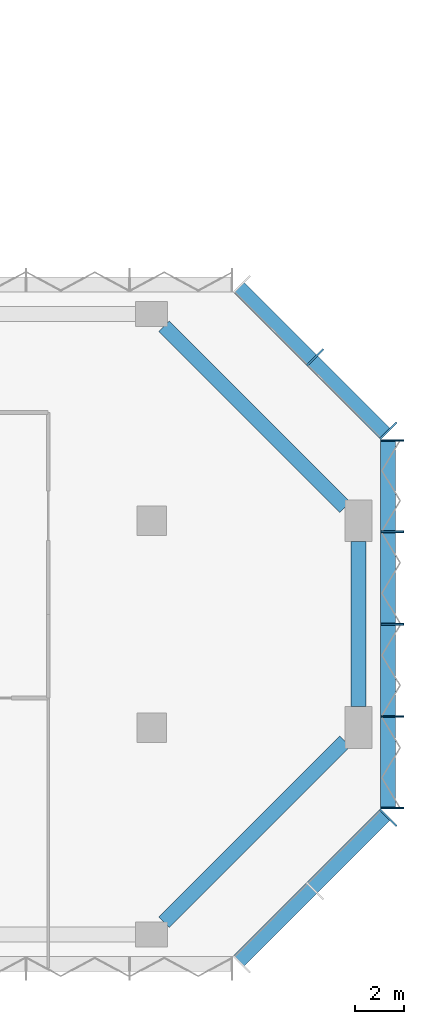
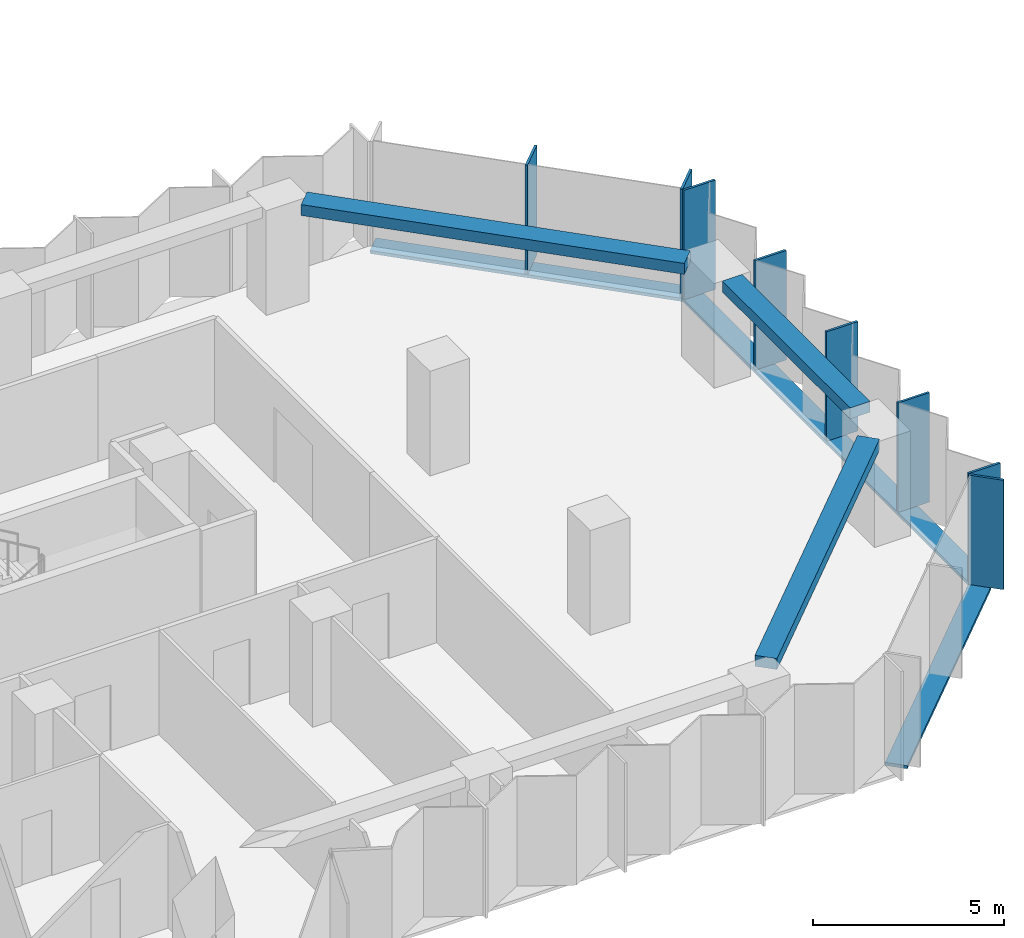
# One storey, part 4 of 13: 11 members, 3 beams, 3 elements without a shape of their own.
"""IFC4 building model written with IfcOpenShell, lengths in metres."""

from ifc_helpers import new_model, si_unit, direction, frame, origin, origin_2d, place, context, subcontext, project, spatial, rectangle, extrude, material, material_profile, profile_set, type_object, element, aggregate, save


model = new_model("IFC4")

# Units and contexts
model_context = context("Model", 3, precision=1e-05, world=origin(), true_north=direction((0.0, 1.0)))
body_context = subcontext(model_context, "Body", "Model", "MODEL_VIEW")
ifc_project = project(units=[si_unit("LENGTHUNIT", "METRE"), si_unit("AREAUNIT", "SQUARE_METRE"), si_unit("VOLUMEUNIT", "CUBIC_METRE"), si_unit("PLANEANGLEUNIT", "RADIAN"), si_unit("MASSUNIT", "GRAM", prefix="KILO")], contexts=[model_context])

# Site, building, storey
site_placement = place(None, origin())
site = spatial("IfcSite", under=ifc_project, at=site_placement, CompositionType="ELEMENT")
building_placement = place(site_placement, origin())
building = spatial("IfcBuilding", under=site, at=building_placement, Name="Brevane Broadcast Tower", CompositionType="ELEMENT")
storey_placement = place(building_placement, frame((0.0, 0.0, 102.5)))
storey = spatial("IfcBuildingStorey", under=building, at=storey_placement, Name="L24", CompositionType="ELEMENT", Elevation=102.5)

# Curtain wall, member
ifc_material_1 = material(Name="Aluminium 6063-T6 bronze anodised", Category="aluminium")
curtain_wall_type = type_object("IfcCurtainWallType", Name="CW-1 curtain wall", PredefinedType="NOTDEFINED", material=ifc_material_1)
curtain_wall_1_placement = place(storey_placement, origin())
curtain_wall_1 = element("IfcCurtainWall", 1, at=curtain_wall_1_placement, inside=storey, type_object=curtain_wall_type, Name="CW-1 typical tilted unit L24 south-east chamfer", PredefinedType="NOTDEFINED")
ifc_material_profile_1 = material_profile(ifc_material_1, rectangle(XDim=0.949951171875, YDim=0.070068359375, at=origin_2d()), Name="RECT 70x950")
ifc_profile_set_1 = profile_set([ifc_material_profile_1], Name="Aluminium 6063-T6 bronze anodised")
member_type_1 = type_object("IfcMemberType", Name="CW-1 mullion 70x950", PredefinedType="MULLION", material=ifc_profile_set_1)
member_1_placement = place(storey_placement, frame((68.4111328125, 4.7392578125, -0.14990234375), z_axis=(0.0, 0.0, 1.0), x_axis=(-0.707106781187, 0.707106781187, 0.0)))
member_1 = element("IfcMember", 2, at=member_1_placement, type_object=member_type_1, Name="CW-1 mullion", PredefinedType="MULLION", context=body_context, shape_type="SweptSolid", body=[
    extrude(rectangle(XDim=0.949951171875, YDim=0.070068359375, at=origin_2d()), origin(), (0.0, 0.0, 1.0), 3.5),
])

# Curtain wall, members
curtain_wall_2_placement = place(storey_placement, origin())
curtain_wall_2 = element("IfcCurtainWall", 3, at=curtain_wall_2_placement, inside=storey, type_object=curtain_wall_type, Name="CW-1 typical tilted unit L24 east end", PredefinedType="NOTDEFINED")
member_2_placement = place(storey_placement, frame((68.574951171875, 5.135009765625, -0.14990234375), z_axis=(0.0, 0.0, 1.0), x_axis=(-1.0, 0.0, 0.0)))
member_2 = element("IfcMember", 4, at=member_2_placement, type_object=member_type_1, Name="CW-1 mullion", PredefinedType="MULLION", context=body_context, shape_type="SweptSolid", body=[
    extrude(rectangle(XDim=0.949951171875, YDim=0.070068359375, at=origin_2d()), origin(), (0.0, 0.0, 1.0), 3.5),
])
member_3_placement = place(storey_placement, frame((68.574951171875, 8.85009765625, -0.14990234375), z_axis=(0.0, 0.0, 1.0), x_axis=(-1.0, 0.0, 0.0)))
member_3 = element("IfcMember", 5, at=member_3_placement, type_object=member_type_1, Name="CW-1 mullion", PredefinedType="MULLION", context=body_context, shape_type="SweptSolid", body=[
    extrude(rectangle(XDim=0.949951171875, YDim=0.070068359375, at=origin_2d()), origin(), (0.0, 0.0, 1.0), 3.5),
])
member_4_placement = place(storey_placement, frame((68.574951171875, 12.60009765625, -0.14990234375), z_axis=(0.0, 0.0, 1.0), x_axis=(-1.0, 0.0, 0.0)))
member_4 = element("IfcMember", 6, at=member_4_placement, type_object=member_type_1, Name="CW-1 mullion", PredefinedType="MULLION", context=body_context, shape_type="SweptSolid", body=[
    extrude(rectangle(XDim=0.949951171875, YDim=0.070068359375, at=origin_2d()), origin(), (0.0, 0.0, 1.0), 3.5),
])
member_5_placement = place(storey_placement, frame((68.574951171875, 16.35009765625, -0.14990234375), z_axis=(0.0, 0.0, 1.0), x_axis=(-1.0, 0.0, 0.0)))
member_5 = element("IfcMember", 7, at=member_5_placement, type_object=member_type_1, Name="CW-1 mullion", PredefinedType="MULLION", context=body_context, shape_type="SweptSolid", body=[
    extrude(rectangle(XDim=0.949951171875, YDim=0.070068359375, at=origin_2d()), origin(), (0.0, 0.0, 1.0), 3.5),
])
member_6_placement = place(storey_placement, frame((68.574951171875, 20.06494140625, -0.14990234375), z_axis=(0.0, 0.0, 1.0), x_axis=(-1.0, 0.0, 0.0)))
member_6 = element("IfcMember", 8, at=member_6_placement, type_object=member_type_1, Name="CW-1 mullion", PredefinedType="MULLION", context=body_context, shape_type="SweptSolid", body=[
    extrude(rectangle(XDim=0.949951171875, YDim=0.070068359375, at=origin_2d()), origin(), (0.0, 0.0, 1.0), 3.5),
])

curtain_wall_3_placement = place(storey_placement, origin())
curtain_wall_3 = element("IfcCurtainWall", 9, at=curtain_wall_3_placement, inside=storey, type_object=curtain_wall_type, Name="CW-1 typical tilted unit L24 north-east chamfer", PredefinedType="NOTDEFINED")
member_7_placement = place(storey_placement, frame((68.4111328125, 20.460693359375, -0.14990234375), z_axis=(0.0, 0.0, 1.0), x_axis=(-0.707106781187, -0.707106781187, 0.0)))
member_7 = element("IfcMember", 10, at=member_7_placement, type_object=member_type_1, Name="CW-1 mullion", PredefinedType="MULLION", context=body_context, shape_type="SweptSolid", body=[
    extrude(rectangle(XDim=0.949951171875, YDim=0.070068359375, at=origin_2d()), origin(), (0.0, 0.0, 1.0), 3.5),
])
member_8_placement = place(storey_placement, frame((65.435791015625, 23.435791015625, -0.14990234375), z_axis=(0.0, 0.0, 1.0), x_axis=(-0.707106781187, -0.707106781187, 0.0)))
member_8 = element("IfcMember", 11, at=member_8_placement, type_object=member_type_1, Name="CW-1 mullion", PredefinedType="MULLION", context=body_context, shape_type="SweptSolid", body=[
    extrude(rectangle(XDim=0.949951171875, YDim=0.070068359375, at=origin_2d()), origin(), (0.0, 0.0, 1.0), 3.5),
])

# Member
ifc_material_profile_2 = material_profile(ifc_material_1, rectangle(XDim=0.60009765625, YDim=0.10009765625, at=origin_2d()), Name="RECT 100x600")
ifc_profile_set_2 = profile_set([ifc_material_profile_2], Name="Aluminium 6063-T6 bronze anodised")
member_type_2 = type_object("IfcMemberType", Name="CW-1 transom 100x600", PredefinedType="USERDEFINED", material=ifc_profile_set_2)
member_9_placement = place(storey_placement, frame((62.31201171875, -1.112060546875, -0.199951171875), z_axis=(0.707106781187, 0.707106781187, 0.0), x_axis=(-0.707106781187, 0.707106781187, 0.0)))
member_9 = element("IfcMember", 12, at=member_9_placement, type_object=member_type_2, Name="CW-1 transom", ObjectType="TRANSOM", PredefinedType="USERDEFINED", context=body_context, shape_type="SweptSolid", body=[
    extrude(rectangle(XDim=0.60009765625, YDim=0.10009765625, at=origin_2d()), origin(), (0.0, 0.0, 1.0), 8.4853515625),
])

aggregate(curtain_wall_1, [member_1, member_9])

member_10_placement = place(storey_placement, frame((68.39990234375, 5.10009765625, -0.199951171875), z_axis=(0.0, 1.0, 0.0), x_axis=(-1.0, 0.0, 0.0)))
member_10 = element("IfcMember", 13, at=member_10_placement, type_object=member_type_2, Name="CW-1 transom", ObjectType="TRANSOM", PredefinedType="USERDEFINED", context=body_context, shape_type="SweptSolid", body=[
    extrude(rectangle(XDim=0.60009765625, YDim=0.10009765625, at=origin_2d()), origin(), (0.0, 0.0, 1.0), 15.0),
])

aggregate(curtain_wall_2, [member_2, member_3, member_4, member_5, member_6, member_10])

member_11_placement = place(storey_placement, frame((68.31201171875, 20.31201171875, -0.199951171875), z_axis=(-0.707106781187, 0.707106781187, 0.0), x_axis=(-0.707106781187, -0.707106781187, 0.0)))
member_11 = element("IfcMember", 14, at=member_11_placement, type_object=member_type_2, Name="CW-1 transom", ObjectType="TRANSOM", PredefinedType="USERDEFINED", context=body_context, shape_type="SweptSolid", body=[
    extrude(rectangle(XDim=0.60009765625, YDim=0.10009765625, at=origin_2d()), origin(), (0.0, 0.0, 1.0), 8.4853515625),
])

aggregate(curtain_wall_3, [member_7, member_8, member_11])

# Beams
ifc_material_2 = material(Name="Concrete C40/50", Category="concrete")
ifc_material_profile_3 = material_profile(ifc_material_2, rectangle(XDim=0.60009765625, YDim=0.35009765625, at=origin_2d()), Name="RC 600x350")
ifc_profile_set_3 = profile_set([ifc_material_profile_3], Name="Concrete C40/50")
beam_type = type_object("IfcBeamType", Name="RC SPANDREL BEAM 600x350 C40/50", PredefinedType="SPANDREL", material=ifc_profile_set_3)
beam_1_placement = place(storey_placement, frame((59.300048828125, 0.5, 3.175048828125), z_axis=(0.707095037275, 0.707118524903, 0.0), x_axis=(-0.707118524903, 0.707095037275, 0.0)))
element("IfcBeam", 15, at=beam_1_placement, inside=storey, type_object=beam_type, Name="EB1 L24-5", PredefinedType="SPANDREL", context=body_context, shape_type="SweptSolid", body=[
    extrude(rectangle(XDim=0.60009765625, YDim=0.35009765625, at=origin_2d()), origin(), (0.0, 0.0, 1.0), 10.39453125),
])
beam_2_placement = place(storey_placement, frame((67.199951171875, 9.25, 3.175048828125), z_axis=(0.0, 1.0, 0.0), x_axis=(-1.0, 0.0, 0.0)))
element("IfcBeam", 16, at=beam_2_placement, inside=storey, type_object=beam_type, Name="EB1 L24-6", PredefinedType="SPANDREL", context=body_context, shape_type="SweptSolid", body=[
    extrude(rectangle(XDim=0.60009765625, YDim=0.35009765625, at=origin_2d()), origin(), (0.0, 0.0, 1.0), 6.699951171875),
])
beam_3_placement = place(storey_placement, frame((66.64990234375, 17.35009765625, 3.175048828125), z_axis=(-0.707106781187, 0.707106781187, 0.0), x_axis=(-0.707106781187, -0.707106781187, 0.0)))
element("IfcBeam", 17, at=beam_3_placement, inside=storey, type_object=beam_type, Name="EB1 L24-7", PredefinedType="SPANDREL", context=body_context, shape_type="SweptSolid", body=[
    extrude(rectangle(XDim=0.60009765625, YDim=0.35009765625, at=origin_2d()), origin(), (0.0, 0.0, 1.0), 10.394287109375),
])

save(model, "model.ifc")
